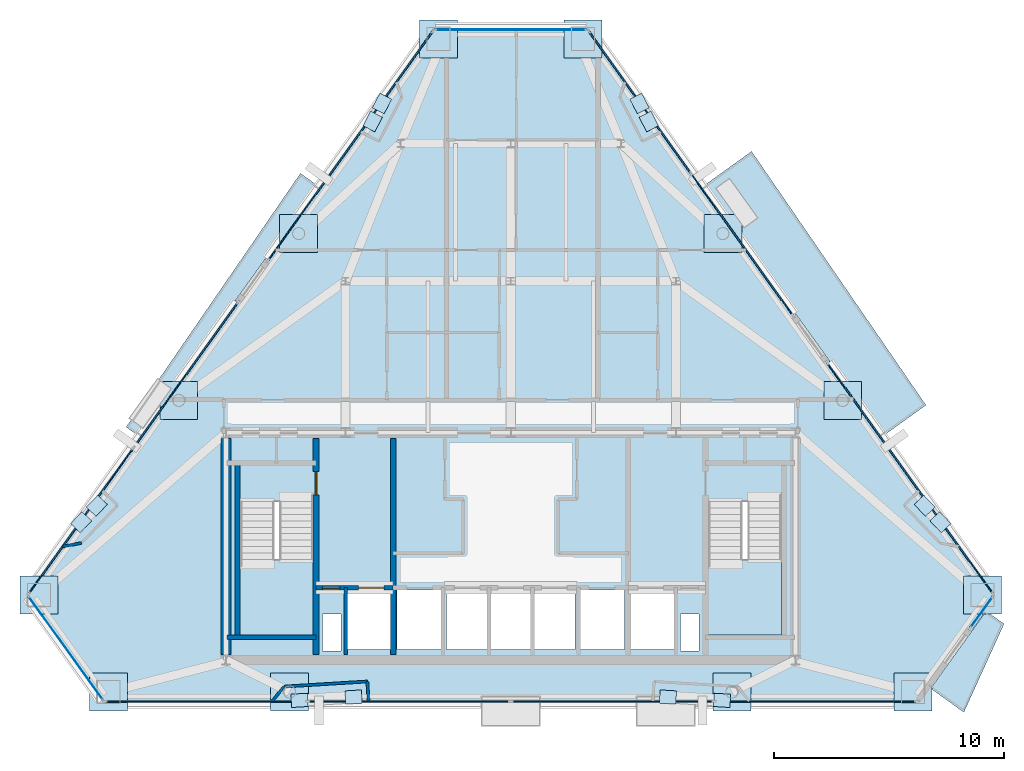
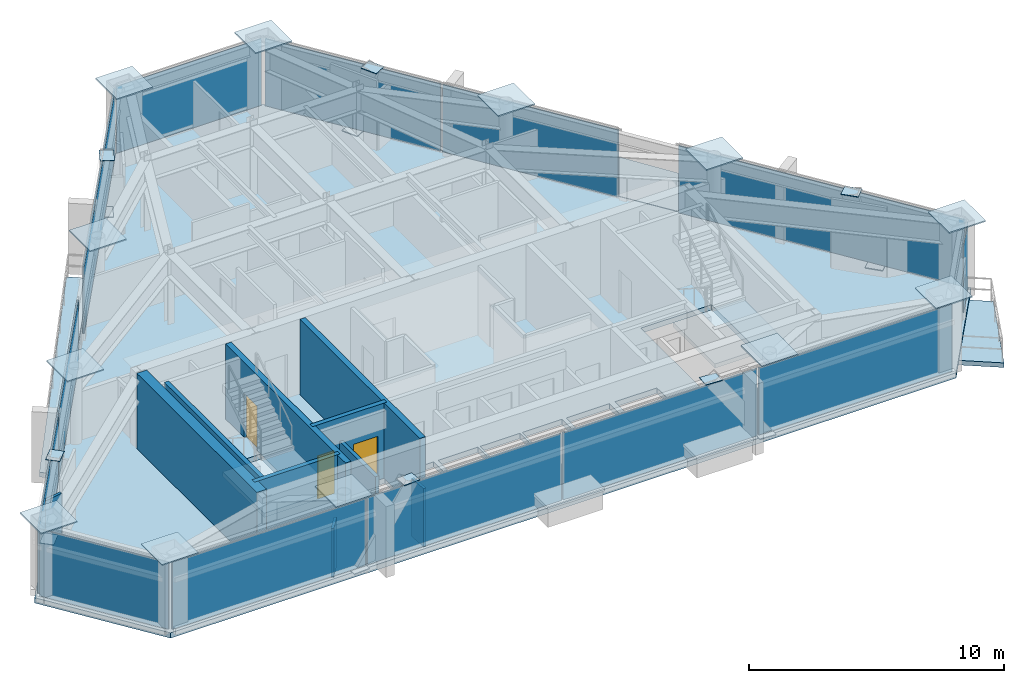
# One storey, part 6 of 11: 37 plates, 11 walls, 6 slabs, 3 doors, 3 openings, 10 elements without a shape of their own.
"""IFC4 building model written with IfcOpenShell, lengths in metres."""

from ifc_helpers import new_model, si_unit, direction, frame, frame_2d, origin, origin_2d, place, context, subcontext, project, spatial, polyline, rectangle, outline, extrude, source, transform, mapped, material, layer, layer_set, type_object, type_shapes, element, fill, aggregate, save


model = new_model("IFC4")

# Units and contexts
model_context = context("Model", 3, precision=1e-05, world=origin(), true_north=direction((0.0, 1.0)))
body_context = subcontext(model_context, "Body", "Model", "MODEL_VIEW")
ifc_project = project(units=[si_unit("LENGTHUNIT", "METRE"), si_unit("AREAUNIT", "SQUARE_METRE"), si_unit("VOLUMEUNIT", "CUBIC_METRE"), si_unit("PLANEANGLEUNIT", "RADIAN"), si_unit("MASSUNIT", "GRAM", prefix="KILO")], contexts=[model_context])

# Site, building, storey
site_placement = place(None, origin())
site = spatial("IfcSite", under=ifc_project, at=site_placement, CompositionType="ELEMENT")
building_placement = place(site_placement, origin())
building = spatial("IfcBuilding", under=site, at=building_placement, Name="Talgorran Terracotta Tower", CompositionType="ELEMENT")
storey_placement = place(building_placement, frame((0.0, 0.0, 214.5)))
storey = spatial("IfcBuildingStorey", under=building, at=storey_placement, Name="L56", CompositionType="ELEMENT", Elevation=214.5)

# Plates
ifc_material_1 = material(Name="Steel Grade 350 (350L0)", Category="steel")
ifc_layer_1 = layer(ifc_material_1, 0.031982421875, Name="PL_CAP_MN07")
ifc_layer_set_1 = layer_set([ifc_layer_1], Name="Steel Grade 350 (350L0)")
plate_type_1 = type_object("IfcPlateType", Name="PL_CAP_MN07", PredefinedType="USERDEFINED", material=ifc_layer_set_1)
for number, where, z_axis, x_axis, name in (
    (1, (-9.20166015625, -15.856689453125, -0.005859375), (0.0, 0.0, 1.0), (0.998124128239, 0.06122274599, 0.0), "L56 Diagonal Frame End Cap SWF Bot"),
    (2, (-6.845703125, -15.712158203125, 3.31884765625), (0.0, 0.0, 1.0), (0.998124128239, 0.06122274599, 0.0), "L56 Diagonal Frame End Cap SWF Top"),
    (3, (9.20166015625, -15.856689453125, -0.005859375), (0.0, 0.0, 1.0), (-0.998124128239, 0.06122274599, 0.0), "L56 Diagonal Frame End Cap SEF Bot"),
    (4, (6.845703125, -15.712158203125, 3.31884765625), (0.0, 0.0, 1.0), (-0.998124128239, 0.06122274599, 0.0), "L56 Diagonal Frame End Cap SEF Top"),
    (5, (18.713134765625, -8.098876953125, -0.005859375), (0.0, 0.0, 1.0), (-0.692017192405, 0.721881018878, 0.0), "L56 Diagonal Frame End Cap NEL Bot"),
    (6, (18.02490234375, -7.380859375, 3.31884765625), (0.0, 0.0, 1.0), (-0.692017192405, 0.721881018878, 0.0), "L56 Diagonal Frame End Cap NEL Top"),
    (7, (5.607666015625, 10.138916015625, -0.005859375), (0.0, 0.0, 1.0), (0.458804640463, -0.888537169673, 0.0), "L56 Diagonal Frame End Cap NEU Bot"),
    (8, (6.0126953125, 9.354248046875, 3.31884765625), (0.0, 0.0, 1.0), (0.458804640463, -0.888537169673, 0.0), "L56 Diagonal Frame End Cap NEU Top"),
    (9, (-5.607666015625, 10.138916015625, -0.005859375), (0.0, 0.0, 1.0), (-0.458804640463, -0.888537169673, 0.0), "L56 Diagonal Frame End Cap NWU Bot"),
    (10, (-6.0126953125, 9.354248046875, 3.31884765625), (0.0, 0.0, 1.0), (-0.458804640463, -0.888537169673, 0.0), "L56 Diagonal Frame End Cap NWU Top"),
    (11, (-18.713134765625, -8.098876953125, -0.005859375), (0.0, 0.0, 1.0), (0.692017192405, 0.721881018878, 0.0), "L56 Diagonal Frame End Cap NWL Bot"),
    (12, (-18.02490234375, -7.380859375, 3.31884765625), (0.0, 0.0, 1.0), (0.692017192405, 0.721881018878, 0.0), "L56 Diagonal Frame End Cap NWL Top"),
):
    element("IfcPlate", number, at=place(storey_placement, frame(where, z_axis=z_axis, x_axis=x_axis)), inside=storey, type_object=plate_type_1, Name=name, ObjectType="CAP PLATE", PredefinedType="USERDEFINED", context=body_context, shape_type="SweptSolid", body=[
        extrude(rectangle(XDim=0.719970703125, YDim=0.580078125, at=origin_2d()), origin(), (0.0, 0.0, 1.0), 0.031982421875),
    ])
ifc_layer_2 = layer(ifc_material_1, 0.06005859375, Name="PL_NODE_MN01")
ifc_layer_set_2 = layer_set([ifc_layer_2], Name="Steel Grade 350 (350L0)")
plate_type_2 = type_object("IfcPlateType", Name="PL_NODE_MN01", PredefinedType="USERDEFINED", material=ifc_layer_set_2)
for number, where, z_axis, x_axis, name in (
    (13, (-20.54833984375, -11.26953125, 3.5849609375), (0.0, 0.0, 1.0), (1.0, 0.0, 0.0), "L56 Mega-Column Cap Plate MC1"),
    (14, (-17.5107421875, -15.49658203125, 3.5849609375), (0.0, 0.0, 1.0), (1.0, 0.0, 0.0), "L56 Mega-Column Cap Plate MC2"),
    (15, (17.5107421875, -15.49658203125, 3.5849609375), (0.0, 0.0, 1.0), (1.0, 0.0, 0.0), "L56 Mega-Column Cap Plate MC3"),
    (16, (20.54833984375, -11.26953125, 3.5849609375), (0.0, 0.0, 1.0), (1.0, 0.0, 0.0), "L56 Mega-Column Cap Plate MC4"),
    (17, (3.14453125, 12.94970703125, 3.5849609375), (0.0, 0.0, 1.0), (1.0, 0.0, 0.0), "L56 Mega-Column Cap Plate MC5"),
    (18, (-3.14453125, 12.94970703125, 3.5849609375), (0.0, 0.0, 1.0), (1.0, 0.0, 0.0), "L56 Mega-Column Cap Plate MC6"),
    (19, (-9.630859375, -15.49658203125, 3.5849609375), (0.0, 0.0, 1.0), (1.0, 0.0, 0.0), "L56 Facet Column Cap Plate FC1"),
    (20, (9.630859375, -15.49658203125, 3.5849609375), (0.0, 0.0, 1.0), (1.0, 0.0, 0.0), "L56 Facet Column Cap Plate FC2"),
    (21, (14.45703125, -2.79296875, 3.5849609375), (0.0, 0.0, 1.0), (1.0, 0.0, 0.0), "L56 Facet Column Cap Plate FC3"),
    (22, (9.23583984375, 4.472900390625, 3.5849609375), (0.0, 0.0, 1.0), (1.0, 0.0, 0.0), "L56 Facet Column Cap Plate FC4"),
    (23, (-9.23583984375, 4.472900390625, 3.5849609375), (0.0, 0.0, 1.0), (1.0, 0.0, 0.0), "L56 Facet Column Cap Plate FC5"),
    (24, (-14.45703125, -2.79296875, 3.5849609375), (0.0, 0.0, 1.0), (1.0, 0.0, 0.0), "L56 Facet Column Cap Plate FC6"),
):
    element("IfcPlate", number, at=place(storey_placement, frame(where, z_axis=z_axis, x_axis=x_axis)), inside=storey, type_object=plate_type_2, Name=name, ObjectType="NODE PLATE", PredefinedType="USERDEFINED", context=body_context, shape_type="SweptSolid", body=[
        extrude(rectangle(XDim=1.64990234375, YDim=1.64990234375, at=origin_2d()), origin(), (0.0, 0.0, 1.0), 0.06005859375),
    ])

# Slabs
ifc_material_2 = material(Name="Concrete C40/50", Category="concrete")
ifc_layer_3 = layer(ifc_material_2, 0.219970703125, Name="SL_BALCONY_220")
ifc_layer_set_3 = layer_set([ifc_layer_3], Name="Concrete C40/50")
slab_type_1 = type_object("IfcSlabType", Name="SL_BALCONY_220", PredefinedType="FLOOR", material=ifc_layer_set_3)
slab_1_placement = place(storey_placement, frame((0.0, 0.0, -0.219970703125)))
element("IfcSlab", 25, at=slab_1_placement, inside=storey, type_object=slab_type_1, Name="L56 Outdoor Wave Balcony BAL-NE", PredefinedType="FLOOR", context=body_context, shape_type="SweptSolid", body=[
    extrude(outline(polyline([(8.401123046875, 6.55126953125), (16.22314453125, -4.333740234375), (18.080810546875, -2.9990234375), (10.48828125, 8.05126953125), (8.401123046875, 6.55126953125)])), origin(), (0.0, 0.0, 1.0), 0.219970703125),
])
slab_2_placement = place(storey_placement, frame((0.0, 0.0, -0.219970703125)))
element("IfcSlab", 26, at=slab_2_placement, inside=storey, type_object=slab_type_1, Name="L56 Outdoor Wave Balcony BAL-NW", PredefinedType="FLOOR", context=body_context, shape_type="SweptSolid", body=[
    extrude(outline(polyline([(-16.22314453125, -4.333984375), (-8.401123046875, 6.551513671875), (-9.15869140625, 7.095703125), (-16.7509765625, -3.95458984375), (-16.22314453125, -4.333984375)])), origin(), (0.0, 0.0, 1.0), 0.219970703125),
])
slab_3_placement = place(storey_placement, frame((0.0, 0.0, -0.219970703125)))
element("IfcSlab", 27, at=slab_3_placement, inside=storey, type_object=slab_type_1, Name="L56 Outdoor Wave Balcony BAL-SE", PredefinedType="FLOOR", context=body_context, shape_type="SweptSolid", body=[
    extrude(outline(polyline([(20.704833984375, -11.968505859375), (18.28564453125, -15.335205078125), (19.733642578125, -16.375732421875), (21.481689453125, -12.52685546875), (20.704833984375, -11.968505859375)])), origin(), (0.0, 0.0, 1.0), 0.219970703125),
])

# Stair, slab
stair_type = type_object("IfcStairType", Name="ST_FIRE_SCISSOR", PredefinedType="HALF_TURN_STAIR", material=ifc_material_2)
stair_1_placement = place(storey_placement, origin())
stair_1 = element("IfcStair", 28, at=stair_1_placement, inside=storey, type_object=stair_type, Name="L56 West Protected Fire Stair ST-01", PredefinedType="HALF_TURN_STAIR")
ifc_layer_4 = layer(ifc_material_2, 0.199951171875, Name="SL_LANDING_200")
ifc_layer_set_4 = layer_set([ifc_layer_4], Name="Concrete C40/50")
slab_type_2 = type_object("IfcSlabType", Name="SL_LANDING_200", PredefinedType="LANDING", material=ifc_layer_set_4)
slab_4_placement = place(storey_placement, frame((0.0, 0.0, 1.60009765625)))
slab_4 = element("IfcSlab", 29, at=slab_4_placement, type_object=slab_type_2, Name="ST-01 landing 1", PredefinedType="LANDING", context=body_context, shape_type="SweptSolid", body=[
    extrude(outline(polyline([(-11.800048828125, -9.719970703125), (-11.800048828125, -13.0), (-8.60009765625, -13.0), (-8.60009765625, -9.719970703125), (-11.800048828125, -9.719970703125)])), origin(), (0.0, 0.0, 1.0), 0.199951171875),
])
aggregate(stair_1, [slab_4])

stair_2_placement = place(storey_placement, origin())
stair_2 = element("IfcStair", 30, at=stair_2_placement, inside=storey, type_object=stair_type, Name="L56 East Protected Fire Stair ST-02", PredefinedType="HALF_TURN_STAIR")
slab_5_placement = place(storey_placement, frame((0.0, 0.0, 1.60009765625)))
slab_5 = element("IfcSlab", 31, at=slab_5_placement, type_object=slab_type_2, Name="ST-02 landing 1", PredefinedType="LANDING", context=body_context, shape_type="SweptSolid", body=[
    extrude(outline(polyline([(8.60009765625, -9.719970703125), (8.60009765625, -13.0), (11.800048828125, -13.0), (11.800048828125, -9.719970703125), (8.60009765625, -9.719970703125)])), origin(), (0.0, 0.0, 1.0), 0.199951171875),
])
aggregate(stair_2, [slab_5])

# Slab
ifc_layer_5 = layer(ifc_material_2, 0.2548828125, Name="SL_TOWER_235")
ifc_layer_set_5 = layer_set([ifc_layer_5], Name="Concrete C40/50")
slab_type_3 = type_object("IfcSlabType", Name="SL_TOWER_235", PredefinedType="FLOOR", material=ifc_layer_set_5)
slab_6_placement = place(storey_placement, frame((0.0, 0.0, -0.2548828125)))
element("IfcSlab", 32, at=slab_6_placement, inside=storey, type_object=slab_type_3, Name="Storey L56 Structural Floor Slab", PredefinedType="FLOOR", context=body_context, shape_type="SweptSolid", body=[
    extrude(outline(polyline([(-21.188720703125, -11.26953125), (-17.77734375, -16.0166015625), (17.77734375, -16.0166015625), (21.188720703125, -11.26953125), (3.411376953125, 13.469482421875), (-3.411376953125, 13.469482421875), (-21.188720703125, -11.26953125)]), holes=[polyline([(-11.800048828125, -7.199951171875), (-11.800048828125, -13.0), (-8.60009765625, -13.0), (-8.60009765625, -7.199951171875), (-11.800048828125, -7.199951171875)]), polyline([(8.60009765625, -7.199951171875), (8.60009765625, -13.0), (11.800048828125, -13.0), (11.800048828125, -7.199951171875), (8.60009765625, -7.199951171875)]), polyline([(-7.10009765625, -13.64990234375), (-5.199951171875, -13.64990234375), (-5.199951171875, -11.050048828125), (-7.10009765625, -11.050048828125), (-7.10009765625, -13.64990234375)]), polyline([(5.199951171875, -13.64990234375), (7.10009765625, -13.64990234375), (7.10009765625, -11.050048828125), (5.199951171875, -11.050048828125), (5.199951171875, -13.64990234375)]), polyline([(3.0, -13.64990234375), (4.949951171875, -13.64990234375), (4.949951171875, -11.050048828125), (3.0, -11.050048828125), (3.0, -13.64990234375)]), polyline([(-4.949951171875, -13.64990234375), (-3.0, -13.64990234375), (-3.0, -11.050048828125), (-4.949951171875, -11.050048828125), (-4.949951171875, -13.64990234375)]), polyline([(-2.800048828125, -13.64990234375), (-1.0, -13.64990234375), (-1.0, -11.050048828125), (-2.800048828125, -11.050048828125), (-2.800048828125, -13.64990234375)]), polyline([(-0.89990234375, -13.64990234375), (0.89990234375, -13.64990234375), (0.89990234375, -11.050048828125), (-0.89990234375, -11.050048828125), (-0.89990234375, -13.64990234375)]), polyline([(1.0, -13.64990234375), (2.800048828125, -13.64990234375), (2.800048828125, -11.050048828125), (1.0, -11.050048828125), (1.0, -13.64990234375)]), polyline([(-8.199951171875, -13.699951171875), (-7.39990234375, -13.699951171875), (-7.39990234375, -12.10009765625), (-8.199951171875, -12.10009765625), (-8.199951171875, -13.699951171875)]), polyline([(7.39990234375, -13.699951171875), (8.199951171875, -13.699951171875), (8.199951171875, -12.10009765625), (7.39990234375, -12.10009765625), (7.39990234375, -13.699951171875)])]), origin(), (0.0, 0.0, 1.0), 0.2548828125),
])

# Curtain wall, plate
ifc_material_3 = material(Name="High-Wind Unitised Glazing", Category="glass")
ifc_layer_6 = layer(ifc_material_3, 0.2099609375, Name="CW_SYS3_RES_HIGH")
ifc_layer_set_6 = layer_set([ifc_layer_6], Name="High-Wind Unitised Glazing")
curtain_wall_type = type_object("IfcCurtainWallType", Name="CW_SYS3_RES_HIGH", PredefinedType="NOTDEFINED", material=ifc_layer_set_6)
curtain_wall_1_placement = place(storey_placement, origin())
curtain_wall_1 = element("IfcCurtainWall", 33, at=curtain_wall_1_placement, inside=storey, type_object=curtain_wall_type, Name="CW-L56-F31", PredefinedType="NOTDEFINED")
ifc_material_4 = material(Name="High-Wind Acoustic Vision Glass", Category="glass")
ifc_layer_7 = layer(ifc_material_4, 0.031982421875, Name="PLT_VISION_32")
ifc_layer_set_7 = layer_set([ifc_layer_7], Name="High-Wind Acoustic Vision Glass")
plate_type_3 = type_object("IfcPlateType", Name="PLT_VISION_32", PredefinedType="CURTAIN_PANEL", material=ifc_layer_set_7)
shared_shape_1 = source(origin(), body_context, "Body", "SweptSolid", [
    extrude(rectangle(XDim=1.634765625, YDim=0.031982421875, at=origin_2d()), origin(), (0.0, 0.0, 1.0), 3.205078125),
])
plate_1_placement = place(storey_placement, frame((20.499755859375, -12.022705078125, 0.070068359375), z_axis=(0.0, 0.0, 1.0), x_axis=(0.583575673219, 0.812058762422, 0.0)))
plate_1 = element("IfcPlate", 34, at=plate_1_placement, type_object=plate_type_3, Name="CW-L56-31 panel 1.1", PredefinedType="CURTAIN_PANEL", context=body_context, shape_type="MappedRepresentation", body=[
    mapped(shared_shape_1, transform((0.0, 0.0, 0.0), scale=1.0)),
])
aggregate(curtain_wall_1, [plate_1])

curtain_wall_2_placement = place(storey_placement, origin())
curtain_wall_2 = element("IfcCurtainWall", 35, at=curtain_wall_2_placement, inside=storey, type_object=curtain_wall_type, Name="CW-L56-F0", PredefinedType="NOTDEFINED")
shared_shape_2 = source(origin(), body_context, "Body", "SweptSolid", [
    extrude(rectangle(XDim=5.557861328125, YDim=0.031982421875, at=origin_2d()), origin(), (0.0, 0.0, 1.0), 3.205078125),
])
plate_2_placement = place(storey_placement, frame((-19.37841796875, -13.583251953125, 0.070068359375), z_axis=(0.0, 0.0, 1.0), x_axis=(0.58355178486, -0.812075928954, 0.0)))
plate_2 = element("IfcPlate", 36, at=plate_2_placement, type_object=plate_type_3, Name="CW-L56-0 panel 1.1", PredefinedType="CURTAIN_PANEL", context=body_context, shape_type="MappedRepresentation", body=[
    mapped(shared_shape_2, transform((0.0, 0.0, 0.0), scale=1.0)),
])
aggregate(curtain_wall_2, [plate_2])

curtain_wall_3_placement = place(storey_placement, origin())
curtain_wall_3 = element("IfcCurtainWall", 37, at=curtain_wall_3_placement, inside=storey, type_object=curtain_wall_type, Name="CW-L56-F4", PredefinedType="NOTDEFINED")
shared_shape_3 = source(origin(), body_context, "Body", "SweptSolid", [
    extrude(rectangle(XDim=6.5595703125, YDim=0.031982421875, at=origin_2d()), origin(), (0.0, 0.0, 1.0), 3.205078125),
])
type_shapes(plate_type_3, [shared_shape_1, shared_shape_2, shared_shape_3])
plate_3_placement = place(storey_placement, frame((0.0, 13.349609375, 0.070068359375), z_axis=(0.0, 0.0, 1.0), x_axis=(-1.0, 0.0, 0.0)))
plate_3 = element("IfcPlate", 38, at=plate_3_placement, type_object=plate_type_3, Name="CW-L56-4 panel 1.1", PredefinedType="CURTAIN_PANEL", context=body_context, shape_type="MappedRepresentation", body=[
    mapped(shared_shape_3, transform((0.0, 0.0, 0.0), scale=1.0)),
])
aggregate(curtain_wall_3, [plate_3])

# Curtain wall, plates
curtain_wall_4_placement = place(storey_placement, origin())
curtain_wall_4 = element("IfcCurtainWall", 39, at=curtain_wall_4_placement, inside=storey, type_object=curtain_wall_type, Name="CW-L56-F1", PredefinedType="NOTDEFINED")
ifc_material_5 = material(Name="Terracotta Insulated Spandrel", Category="masonry")
ifc_layer_8 = layer(ifc_material_5, 0.06494140625, Name="PLT_SPANDREL_TERRA")
ifc_layer_set_8 = layer_set([ifc_layer_8], Name="Terracotta Insulated Spandrel")
plate_type_4 = type_object("IfcPlateType", Name="PLT_SPANDREL_TERRA", PredefinedType="SHEET", material=ifc_layer_set_8)
shared_shape_4 = source(origin(), body_context, "Body", "SweptSolid", [
    extrude(rectangle(XDim=8.7529296875, YDim=0.06494140625, at=origin_2d()), origin(), (0.0, 0.0, 1.0), 3.205078125),
])
plate_4_placement = place(storey_placement, frame((-13.26953125, -15.896728515625, 0.070068359375), z_axis=(0.0, 0.0, 1.0), x_axis=(1.0, 0.0, 0.0)))
plate_4 = element("IfcPlate", 40, at=plate_4_placement, type_object=plate_type_4, Name="CW-L56-1 panel 1.1", PredefinedType="CURTAIN_PANEL", context=body_context, shape_type="MappedRepresentation", body=[
    mapped(shared_shape_4, transform((0.0, 0.0, 0.0), scale=1.0)),
])
plate_5_placement = place(storey_placement, frame((13.26953125, -15.896728515625, 0.070068359375), z_axis=(0.0, 0.0, 1.0), x_axis=(1.0, 0.0, 0.0)))
plate_5 = element("IfcPlate", 41, at=plate_5_placement, type_object=plate_type_4, Name="CW-L56-1 panel 4.1", PredefinedType="CURTAIN_PANEL", context=body_context, shape_type="MappedRepresentation", body=[
    mapped(shared_shape_4, transform((0.0, 0.0, 0.0), scale=1.0)),
])
shared_shape_5 = source(origin(), body_context, "Body", "SweptSolid", [
    extrude(rectangle(XDim=8.787841796875, YDim=0.06494140625, at=origin_2d()), origin(), (0.0, 0.0, 1.0), 3.205078125),
])
plate_6_placement = place(storey_placement, frame((-4.428955078125, -15.896728515625, 0.070068359375), z_axis=(0.0, 0.0, 1.0), x_axis=(1.0, 0.0, 0.0)))
plate_6 = element("IfcPlate", 42, at=plate_6_placement, type_object=plate_type_4, Name="CW-L56-1 panel 2.1", PredefinedType="CURTAIN_PANEL", context=body_context, shape_type="MappedRepresentation", body=[
    mapped(shared_shape_5, transform((0.0, 0.0, 0.0), scale=1.0)),
])
plate_7_placement = place(storey_placement, frame((4.428955078125, -15.896728515625, 0.070068359375), z_axis=(0.0, 0.0, 1.0), x_axis=(1.0, 0.0, 0.0)))
plate_7 = element("IfcPlate", 43, at=plate_7_placement, type_object=plate_type_4, Name="CW-L56-1 panel 3.1", PredefinedType="CURTAIN_PANEL", context=body_context, shape_type="MappedRepresentation", body=[
    mapped(shared_shape_5, transform((0.0, 0.0, 0.0), scale=1.0)),
])
aggregate(curtain_wall_4, [plate_4, plate_6, plate_7, plate_5])

# Curtain wall, plate
curtain_wall_5_placement = place(storey_placement, origin())
curtain_wall_5 = element("IfcCurtainWall", 44, at=curtain_wall_5_placement, inside=storey, type_object=curtain_wall_type, Name="CW-L56-F40", PredefinedType="NOTDEFINED")
shared_shape_6 = source(origin(), body_context, "Body", "SweptSolid", [
    extrude(rectangle(XDim=12.30859375, YDim=0.06494140625, at=origin_2d()), origin(), (0.0, 0.0, 1.0), 3.205078125),
])
plate_8_placement = place(storey_placement, frame((17.385498046875, -6.1826171875, 0.070068359375), z_axis=(0.0, 0.0, 1.0), x_axis=(-0.583551959349, 0.812075803568, 0.0)))
plate_8 = element("IfcPlate", 45, at=plate_8_placement, type_object=plate_type_4, Name="CW-L56-40 panel 1.1", PredefinedType="CURTAIN_PANEL", context=body_context, shape_type="MappedRepresentation", body=[
    mapped(shared_shape_6, transform((0.0, 0.0, 0.0), scale=1.0)),
])
aggregate(curtain_wall_5, [plate_8])

# Curtain wall, plates
curtain_wall_6_placement = place(storey_placement, origin())
curtain_wall_6 = element("IfcCurtainWall", 46, at=curtain_wall_6_placement, inside=storey, type_object=curtain_wall_type, Name="CW-L56-F41", PredefinedType="NOTDEFINED")
shared_shape_7 = source(origin(), body_context, "Body", "SweptSolid", [
    extrude(rectangle(XDim=7.558837890625, YDim=0.06494140625, at=origin_2d()), origin(), (0.0, 0.0, 1.0), 3.205078125),
])
plate_9_placement = place(storey_placement, frame((10.0712890625, 3.995849609375, 0.070068359375), z_axis=(0.0, 0.0, 1.0), x_axis=(-0.583550143239, 0.812077108608, 0.0)))
plate_9 = element("IfcPlate", 47, at=plate_9_placement, type_object=plate_type_4, Name="CW-L56-41 panel 1.1", PredefinedType="CURTAIN_PANEL", context=body_context, shape_type="MappedRepresentation", body=[
    mapped(shared_shape_7, transform((0.0, 0.0, 0.0), scale=1.0)),
])
plate_10_placement = place(storey_placement, frame((5.619384765625, 10.191162109375, 0.070068359375), z_axis=(0.0, 0.0, 1.0), x_axis=(-0.583550143239, 0.812077108608, 0.0)))
plate_10 = element("IfcPlate", 48, at=plate_10_placement, type_object=plate_type_4, Name="CW-L56-41 panel 2.1", PredefinedType="CURTAIN_PANEL", context=body_context, shape_type="MappedRepresentation", body=[
    mapped(shared_shape_7, transform((0.0, 0.0, 0.0), scale=1.0)),
])
aggregate(curtain_wall_6, [plate_9, plate_10])

# Curtain wall, plate
curtain_wall_7_placement = place(storey_placement, origin())
curtain_wall_7 = element("IfcCurtainWall", 49, at=curtain_wall_7_placement, inside=storey, type_object=curtain_wall_type, Name="CW-L56-F60", PredefinedType="NOTDEFINED")
shared_shape_8 = source(origin(), body_context, "Body", "SweptSolid", [
    extrude(rectangle(XDim=12.236083984375, YDim=0.06494140625, at=origin_2d()), origin(), (0.0, 0.0, 1.0), 3.205078125),
])
plate_11_placement = place(storey_placement, frame((-6.984130859375, 8.2919921875, 0.070068359375), z_axis=(0.0, 0.0, 1.0), x_axis=(-0.583557127269, -0.812072089911, 0.0)))
plate_11 = element("IfcPlate", 50, at=plate_11_placement, type_object=plate_type_4, Name="CW-L56-60 panel 1.1", PredefinedType="CURTAIN_PANEL", context=body_context, shape_type="MappedRepresentation", body=[
    mapped(shared_shape_8, transform((0.0, 0.0, 0.0), scale=1.0)),
])
aggregate(curtain_wall_7, [plate_11])

# Curtain wall, plates
curtain_wall_8_placement = place(storey_placement, origin())
curtain_wall_8 = element("IfcCurtainWall", 51, at=curtain_wall_8_placement, inside=storey, type_object=curtain_wall_type, Name="CW-L56-F61", PredefinedType="NOTDEFINED")
shared_shape_9 = source(origin(), body_context, "Body", "SweptSolid", [
    extrude(rectangle(XDim=7.7451171875, YDim=0.06494140625, at=origin_2d()), origin(), (0.0, 0.0, 1.0), 3.205078125),
])
type_shapes(plate_type_4, [shared_shape_4, shared_shape_5, shared_shape_6, shared_shape_7, shared_shape_8, shared_shape_9])
plate_12_placement = place(storey_placement, frame((-14.15625, -1.68896484375, 0.070068359375), z_axis=(0.0, 0.0, 1.0), x_axis=(-0.583552444816, -0.812075454714, 0.0)))
plate_12 = element("IfcPlate", 52, at=plate_12_placement, type_object=plate_type_4, Name="CW-L56-61 panel 1.1", PredefinedType="CURTAIN_PANEL", context=body_context, shape_type="MappedRepresentation", body=[
    mapped(shared_shape_9, transform((0.0, 0.0, 0.0), scale=1.0)),
])
plate_13_placement = place(storey_placement, frame((-18.716796875, -8.035400390625, 0.070068359375), z_axis=(0.0, 0.0, 1.0), x_axis=(-0.583552444816, -0.812075454714, 0.0)))
plate_13 = element("IfcPlate", 53, at=plate_13_placement, type_object=plate_type_4, Name="CW-L56-61 panel 2.1", PredefinedType="CURTAIN_PANEL", context=body_context, shape_type="MappedRepresentation", body=[
    mapped(shared_shape_9, transform((0.0, 0.0, 0.0), scale=1.0)),
])
aggregate(curtain_wall_8, [plate_12, plate_13])

# Walls
ifc_material_6 = material(Name="Concrete C50/60", Category="concrete")
ifc_layer_9 = layer(ifc_material_6, 0.199951171875, Name="WT_CORE_200")
ifc_layer_set_9 = layer_set([ifc_layer_9], Name="Concrete C50/60")
wall_type_1 = type_object("IfcWallType", Name="WT_CORE_200", PredefinedType="SOLIDWALL", material=ifc_layer_set_9)
wall_1_placement = place(storey_placement, frame((-12.35009765625, -13.10009765625, 0.0), z_axis=(0.0, 0.0, 1.0), x_axis=(1.0, 0.0, 0.0)))
element("IfcWall", 54, at=wall_1_placement, inside=storey, type_object=wall_type_1, Name="WL-L56-CW-ST1-S", PredefinedType="SOLIDWALL", context=body_context, shape_type="SweptSolid", body=[
    extrude(rectangle(XDim=3.8701171875, YDim=0.199951171875, at=frame_2d((1.93505859375, 0.0))), origin(), (0.0, 0.0, 1.0), 3.60009765625),
])
wall_2_placement = place(storey_placement, frame((-11.89990234375, -13.10009765625, 0.0), z_axis=(0.0, 0.0, 1.0), x_axis=(0.0, 1.0, 0.0)))
element("IfcWall", 55, at=wall_2_placement, inside=storey, type_object=wall_type_1, Name="WL-L56-CW-ST1-W", PredefinedType="SOLIDWALL", context=body_context, shape_type="SweptSolid", body=[
    extrude(rectangle(XDim=7.580078125, YDim=0.199951171875, at=frame_2d((3.7900390625, 0.0))), origin(), (0.0, 0.0, 1.0), 3.60009765625),
])

# Wall, openings, doors
wall_3_placement = place(storey_placement, frame((-8.47998046875, -10.949951171875, 0.0), z_axis=(0.0, 0.0, 1.0), x_axis=(1.0, 0.0, 0.0)))
wall_3 = element("IfcWall", 56, at=wall_3_placement, inside=storey, type_object=wall_type_1, Name="WL-L56-CW-H-SBW", PredefinedType="SOLIDWALL", context=body_context, shape_type="SweptSolid", body=[
    extrude(rectangle(XDim=3.35986328125, YDim=0.199951171875, at=frame_2d((1.679931640625, 0.0))), origin(), (0.0, 0.0, 1.0), 3.60009765625),
])
opening_1_placement = place(wall_3_placement, frame((0.280029296875, 0.0, 0.0)))
opening_1 = element("IfcOpeningElement", 57, at=opening_1_placement, cuts=wall_3, Name="Opening DR-RSW", PredefinedType="OPENING", context=body_context, shape_type="SweptSolid", body=[
    extrude(rectangle(XDim=0.756, YDim=2.054048828125, at=frame_2d((0.375, 1.027099609375))), frame((0.0, 0.10986328125, 0.0), z_axis=(0.0, -1.0, 0.0), x_axis=(1.0, 0.0, 0.0)), (0.0, 0.0, 1.0), 0.219970703125),
])
opening_2_placement = place(wall_3_placement, frame((1.85009765625, 0.0, 0.0)))
opening_2 = element("IfcOpeningElement", 58, at=opening_2_placement, cuts=wall_3, Name="Opening LD-FFL1", PredefinedType="OPENING", context=body_context, shape_type="SweptSolid", body=[
    extrude(rectangle(XDim=1.10609765625, YDim=2.10409765625, at=frame_2d((0.550048828125, 1.052001953125))), frame((0.0, 0.10986328125, 0.0), z_axis=(0.0, -1.0, 0.0), x_axis=(1.0, 0.0, 0.0)), (0.0, 0.0, 1.0), 0.219970703125),
])
ifc_material_7 = material(Name="Brushed Stainless Steel Grade 304", Category="steel")
door_type_1 = type_object("IfcDoorType", Name="DT_LIFT_LD1100", OperationType="DOUBLE_DOOR_SLIDING", PredefinedType="DOOR", material=ifc_material_7)
door_1_placement = place(opening_2_placement, origin())
door_1 = element("IfcDoor", 59, at=door_1_placement, inside=storey, type_object=door_type_1, Name="L56 Lift Landing Door LD-FFL1", OperationType="DOUBLE_DOOR_SLIDING", OverallHeight=2.10009765625, OverallWidth=1.10009765625, PredefinedType="DOOR", context=body_context, shape_type="SweptSolid", body=[
    extrude(rectangle(XDim=1.10009765625, YDim=2.10009765625, at=frame_2d((0.550048828125, 1.050048828125))), frame((0.0, 0.02490234375, 0.0), z_axis=(0.0, -1.0, 0.0), x_axis=(1.0, 0.0, 0.0)), (0.0, 0.0, 1.0), 0.050048828125),
])
fill(opening_2, door_1)
ifc_material_8 = material(Name="Fire-Rated Pressed Steel", Category="steel")
door_type_2 = type_object("IfcDoorType", Name="DT_RISER_750", OperationType="NOTDEFINED", PredefinedType="DOOR", material=ifc_material_8)
door_2_placement = place(opening_1_placement, origin())
door_2 = element("IfcDoor", 60, at=door_2_placement, inside=storey, type_object=door_type_2, Name="DR-RSW", OperationType="SINGLE_SWING_LEFT", OverallHeight=2.050048828125, OverallWidth=0.75, PredefinedType="DOOR", context=body_context, shape_type="SweptSolid", body=[
    extrude(rectangle(XDim=0.75, YDim=2.050048828125, at=frame_2d((0.375, 1.02490234375))), frame((0.0, 0.02490234375, 0.0), z_axis=(0.0, -1.0, 0.0), x_axis=(1.0, 0.0, 0.0)), (0.0, 0.0, 1.0), 0.050048828125),
])
fill(opening_1, door_2)

# Wall, opening, door
ifc_layer_10 = layer(ifc_material_6, 0.25, Name="WT_CORE_250")
ifc_layer_set_10 = layer_set([ifc_layer_10], Name="Concrete C50/60")
wall_type_2 = type_object("IfcWallType", Name="WT_CORE_250", PredefinedType="SHEAR", material=ifc_layer_set_10)
wall_4_placement = place(storey_placement, frame((-8.47998046875, -13.85009765625, 0.0), z_axis=(0.0, 0.0, 1.0), x_axis=(0.0, 1.0, 0.0)))
wall_4 = element("IfcWall", 61, at=wall_4_placement, inside=storey, type_object=wall_type_2, Name="WL-L56-CW-V-W1", PredefinedType="SHEAR", context=body_context, shape_type="SweptSolid", body=[
    extrude(rectangle(XDim=9.400146484375, YDim=0.25, at=frame_2d((4.7001953125, 0.0))), origin(), (0.0, 0.0, 1.0), 3.60009765625),
])
opening_3_placement = place(wall_4_placement, frame((6.949951171875, 0.0, 0.0)))
opening_3 = element("IfcOpeningElement", 62, at=opening_3_placement, cuts=wall_4, Name="Opening DR-ST01", PredefinedType="OPENING", context=body_context, shape_type="SweptSolid", body=[
    extrude(rectangle(XDim=1.006, YDim=2.10409765625, at=frame_2d((0.5, 1.052001953125))), frame((0.0, 0.135009765625, 0.0), z_axis=(0.0, -1.0, 0.0), x_axis=(1.0, 0.0, 0.0)), (0.0, 0.0, 1.0), 0.27001953125),
])
door_type_3 = type_object("IfcDoorType", Name="DT_FIRE_1000", OperationType="NOTDEFINED", PredefinedType="DOOR", material=ifc_material_8)
door_3_placement = place(opening_3_placement, origin())
door_3 = element("IfcDoor", 63, at=door_3_placement, inside=storey, type_object=door_type_3, Name="DR-ST01", OperationType="SINGLE_SWING_LEFT", OverallHeight=2.10009765625, OverallWidth=1.0, PredefinedType="DOOR", context=body_context, shape_type="SweptSolid", body=[
    extrude(rectangle(XDim=1.0, YDim=2.10009765625, at=frame_2d((0.5, 1.050048828125))), frame((0.0, 0.02490234375, 0.0), z_axis=(0.0, -1.0, 0.0), x_axis=(1.0, 0.0, 0.0)), (0.0, 0.0, 1.0), 0.050048828125),
])
fill(opening_3, door_3)

# Walls
wall_5_placement = place(storey_placement, frame((-5.1201171875, -13.85009765625, 0.0), z_axis=(0.0, 0.0, 1.0), x_axis=(0.0, 1.0, 0.0)))
element("IfcWall", 64, at=wall_5_placement, inside=storey, type_object=wall_type_2, Name="WL-L56-CW-V-W2", PredefinedType="SHEAR", context=body_context, shape_type="SweptSolid", body=[
    extrude(rectangle(XDim=9.400146484375, YDim=0.25, at=frame_2d((4.7001953125, 0.0))), origin(), (0.0, 0.0, 1.0), 3.60009765625),
])
ifc_material_9 = material(Name="Concrete C65/80", Category="concrete")
ifc_layer_11 = layer(ifc_material_9, 0.449951171875, Name="WT_CORE_EXT")
ifc_layer_set_11 = layer_set([ifc_layer_11], Name="Concrete C65/80")
wall_type_3 = type_object("IfcWallType", Name="WT_CORE_EXT", PredefinedType="SHEAR", material=ifc_layer_set_11)
wall_6_placement = place(storey_placement, frame((-12.39990234375, -13.85009765625, 0.0), z_axis=(0.0, 0.0, 1.0), x_axis=(0.0, 1.0, 0.0)))
element("IfcWall", 65, at=wall_6_placement, inside=storey, type_object=wall_type_3, Name="WL-L56-CW-OUT-W", PredefinedType="SHEAR", context=body_context, shape_type="SweptSolid", body=[
    extrude(rectangle(XDim=9.400146484375, YDim=0.449951171875, at=frame_2d((4.7001953125, 0.0))), origin(), (0.0, 0.0, 1.0), 3.60009765625),
])
ifc_material_10 = material(Name="Insulated Steel Stud Plasterboard", Category="steel")
ifc_layer_12 = layer(ifc_material_10, 0.1201171875, Name="WT_PART_120")
ifc_layer_set_12 = layer_set([ifc_layer_12], Name="Insulated Steel Stud Plasterboard")
wall_type_4 = type_object("IfcWallType", Name="WT_PART_120", PredefinedType="PARTITIONING", material=ifc_layer_set_12)
wall_7_placement = place(storey_placement, frame((-9.879638671875, -15.257080078125, 0.0), z_axis=(0.0, 0.0, 1.0), x_axis=(0.998123679848, 0.061230055748, 0.0)))
element("IfcWall", 66, at=wall_7_placement, inside=storey, type_object=wall_type_4, Name="WL-L56-BW-L56-01", PredefinedType="PARTITIONING", context=body_context, shape_type="SweptSolid", body=[
    extrude(rectangle(XDim=3.640380859375, YDim=0.1201171875, at=frame_2d((1.8203125, 0.0))), origin(), (0.0, 0.0, 1.0), 2.320068359375),
])
wall_8_placement = place(storey_placement, frame((-6.24609375, -15.0341796875, 0.0), z_axis=(0.0, 0.0, 1.0), x_axis=(0.06116817852, -0.998127473791, 0.0)))
element("IfcWall", 67, at=wall_8_placement, inside=storey, type_object=wall_type_4, Name="WL-L56-BW-L56-02", PredefinedType="PARTITIONING", context=body_context, shape_type="SweptSolid", body=[
    extrude(rectangle(XDim=0.854248046875, YDim=0.1201171875, at=frame_2d((0.42724609375, 0.0))), origin(), (0.0, 0.0, 1.0), 2.787109375),
])
wall_9_placement = place(storey_placement, frame((-18.694091796875, -9.00390625, 0.0), z_axis=(0.0, 0.0, 1.0), x_axis=(-0.983694613694, -0.179846898751, 0.0)))
element("IfcWall", 68, at=wall_9_placement, inside=storey, type_object=wall_type_4, Name="WL-L56-BW-L56-09", PredefinedType="PARTITIONING", context=body_context, shape_type="SweptSolid", body=[
    extrude(rectangle(XDim=0.82666015625, YDim=0.1201171875, at=frame_2d((0.413330078125, 0.0))), origin(), (0.0, 0.0, 1.0), 2.787109375),
])
wall_10_placement = place(storey_placement, frame((-10.38134765625, -15.88671875, 0.0), z_axis=(0.0, 0.0, 1.0), x_axis=(0.623177622631, 0.782080335165, 0.0)))
element("IfcWall", 69, at=wall_10_placement, inside=storey, type_object=wall_type_4, Name="WL-L56-BW-L56-03", PredefinedType="PARTITIONING", context=body_context, shape_type="SweptSolid", body=[
    extrude(rectangle(XDim=0.80517578125, YDim=0.1201171875, at=frame_2d((0.402587890625, 0.0))), origin(), (0.0, 0.0, 1.0), 2.320068359375),
])
ifc_material_11 = material(Name="Fire-Rated Shaftwall")
ifc_layer_13 = layer(ifc_material_11, 0.159912109375, Name="WT_PART_150")
ifc_layer_set_13 = layer_set([ifc_layer_13], Name="Fire-Rated Shaftwall")
wall_type_5 = type_object("IfcWallType", Name="WT_PART_150", PredefinedType="PARTITIONING", material=ifc_layer_set_13)
wall_11_placement = place(storey_placement, frame((-7.179931640625, -13.85009765625, 0.0), z_axis=(0.0, 0.0, 1.0), x_axis=(0.0, 1.0, 0.0)))
element("IfcWall", 70, at=wall_11_placement, inside=storey, type_object=wall_type_5, Name="WL-L56-CW-RSW", PredefinedType="PARTITIONING", context=body_context, shape_type="SweptSolid", body=[
    extrude(rectangle(XDim=2.900146484375, YDim=0.159912109375, at=frame_2d((1.4501953125, 0.0))), origin(), (0.0, 0.0, 1.0), 2.469970703125),
])

save(model, "model.ifc")
